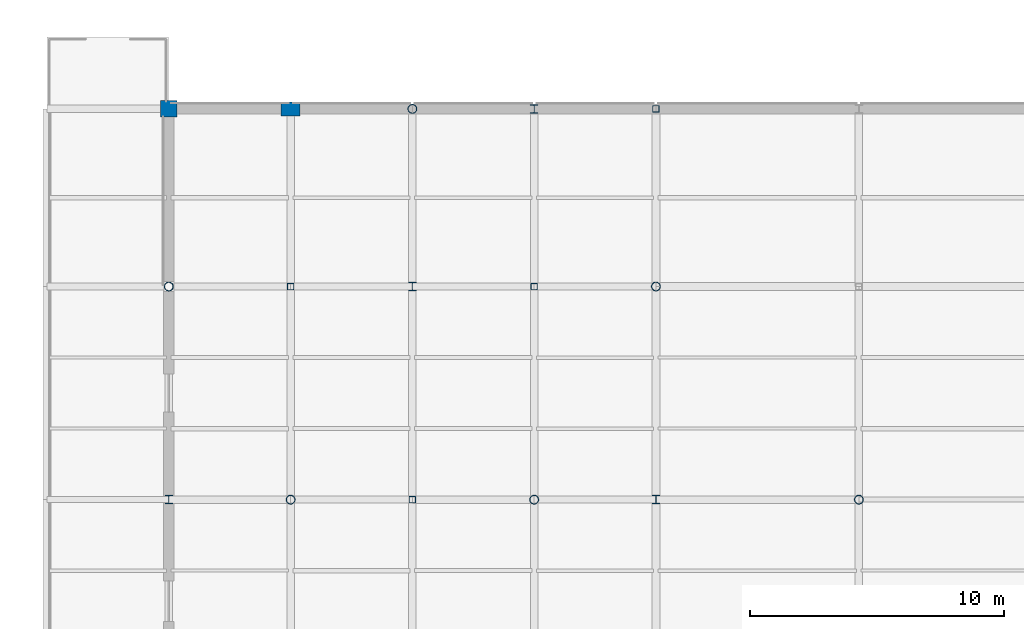
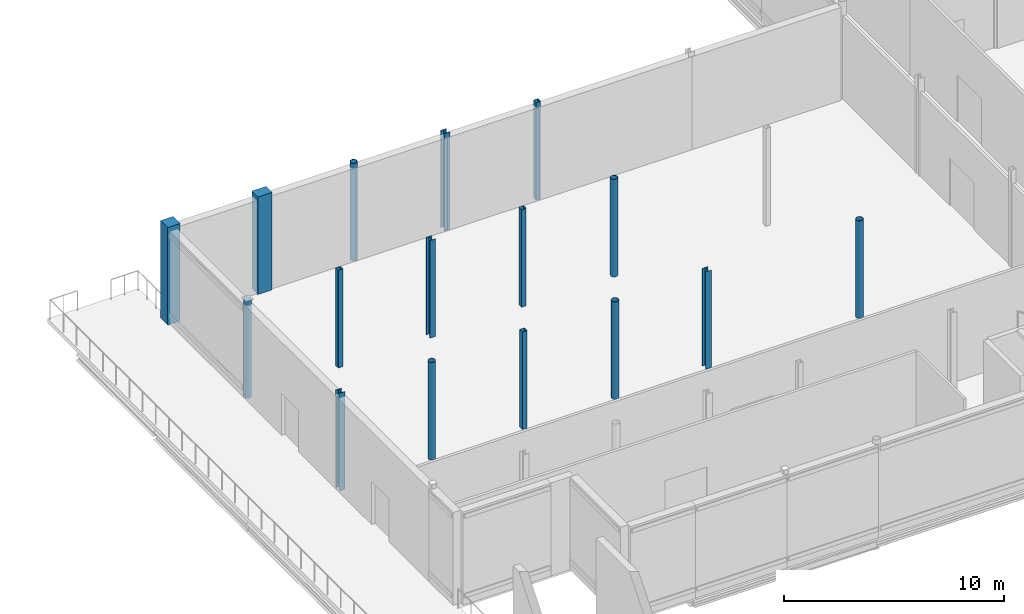
# One storey, part 8 of 147: 16 columns.
"""IFC4 building model written with IfcOpenShell, lengths in metres."""

from ifc_helpers import new_model, si_unit, direction, frame, origin, origin_2d, place, context, subcontext, project, spatial, rectangle, hollow_rectangle, hollow_circle, i_section, extrude, material, material_profile, profile_set, type_object, element, save


model = new_model("IFC4")

# Units and contexts
model_context = context("Model", 3, precision=1e-05, world=origin(), true_north=direction((0.0, 1.0)))
body_context = subcontext(model_context, "Body", "Model", "MODEL_VIEW")
ifc_project = project(units=[si_unit("LENGTHUNIT", "METRE"), si_unit("AREAUNIT", "SQUARE_METRE"), si_unit("VOLUMEUNIT", "CUBIC_METRE"), si_unit("PLANEANGLEUNIT", "RADIAN"), si_unit("MASSUNIT", "GRAM", prefix="KILO")], contexts=[model_context])

# Site, building, storey
site_placement = place(None, origin())
site = spatial("IfcSite", under=ifc_project, at=site_placement, CompositionType="ELEMENT")
building_placement = place(site_placement, origin())
building = spatial("IfcBuilding", under=site, at=building_placement, Name="Vekula Escarpment Museum", CompositionType="ELEMENT")
storey_placement = place(building_placement, frame((0.0, 0.0, 7.800048828125)))
storey = spatial("IfcBuildingStorey", under=building, at=storey_placement, Name="L02", CompositionType="ELEMENT", Elevation=7.800048828125)

# Columns
ifc_material_1 = material(Name="Steel S355", Category="steel")
ifc_material_profile_1 = material_profile(ifc_material_1, hollow_circle(Radius=0.177734375, WallThickness=0.01611328125, at=origin_2d()), Name="CHS 355.6x16")
ifc_profile_set_1 = profile_set([ifc_material_profile_1], Name="Steel S355")
column_type_1 = type_object("IfcColumnType", Name="COL-S-CHS355", PredefinedType="COLUMN", material=ifc_profile_set_1)
for number, where, z_axis, x_axis, name in (
    (1, (4.800048828125, 76.39990234375, 0.0), (0.0, 0.0, 1.0), (1.0, 0.0, 0.0), "Column L02 (4.8,76.4)"),
    (2, (9.60009765625, 68.0, 0.0), (0.0, 0.0, 1.0), (1.0, 0.0, 0.0), "Column L02 (9.6,68.0)"),
    (3, (14.39990234375, 83.39990234375, 0.0), (0.0, 0.0, 1.0), (1.0, 0.0, 0.0), "Column L02 (14.4,83.4)"),
    (4, (19.199951171875, 68.0, 0.0), (0.0, 0.0, 1.0), (1.0, 0.0, 0.0), "Column L02 (19.2,68.0)"),
    (5, (24.0, 76.39990234375, 0.0), (0.0, 0.0, 1.0), (1.0, 0.0, 0.0), "Column L02 (24.0,76.4)"),
    (6, (32.0, 68.0, 0.0), (0.0, 0.0, 1.0), (1.0, 0.0, 0.0), "Column L02 (32.0,68.0)"),
):
    element("IfcColumn", number, at=place(storey_placement, frame(where, z_axis=z_axis, x_axis=x_axis)), inside=storey, type_object=column_type_1, Name=name, PredefinedType="COLUMN", context=body_context, shape_type="SweptSolid", body=[
        extrude(hollow_circle(Radius=0.177734375, WallThickness=0.01611328125, at=origin_2d()), origin(), (0.0, 0.0, 1.0), 5.39990234375),
    ])
ifc_material_2 = material(Name="Steel S355", Category="steel")
ifc_material_profile_2 = material_profile(ifc_material_2, i_section(OverallWidth=0.300048828125, OverallDepth=0.330078125, WebThickness=0.009521484375, FlangeThickness=0.0166015625, FilletRadius=0.027099609375, at=origin_2d()), Name="HEA 340")
ifc_profile_set_2 = profile_set([ifc_material_profile_2], Name="Steel S355")
column_type_2 = type_object("IfcColumnType", Name="COL-S-HEA340", PredefinedType="COLUMN", material=ifc_profile_set_2)
for number, where, z_axis, x_axis, name in (
    (7, (4.800048828125, 68.0, 0.0), (0.0, 0.0, 1.0), (1.0, 0.0, 0.0), "Column L02 (4.8,68.0)"),
    (8, (14.39990234375, 76.39990234375, 0.0), (0.0, 0.0, 1.0), (1.0, 0.0, 0.0), "Column L02 (14.4,76.4)"),
    (9, (19.199951171875, 83.39990234375, 0.0), (0.0, 0.0, 1.0), (1.0, 0.0, 0.0), "Column L02 (19.2,83.4)"),
    (10, (24.0, 68.0, 0.0), (0.0, 0.0, 1.0), (1.0, 0.0, 0.0), "Column L02 (24.0,68.0)"),
):
    element("IfcColumn", number, at=place(storey_placement, frame(where, z_axis=z_axis, x_axis=x_axis)), inside=storey, type_object=column_type_2, Name=name, PredefinedType="COLUMN", context=body_context, shape_type="SweptSolid", body=[
        extrude(i_section(OverallWidth=0.300048828125, OverallDepth=0.330078125, WebThickness=0.009521484375, FlangeThickness=0.0166015625, FilletRadius=0.027099609375, at=origin_2d()), origin(), (0.0, 0.0, 1.0), 5.39990234375),
    ])
ifc_material_3 = material(Name="Steel S355", Category="steel")
ifc_material_profile_3 = material_profile(ifc_material_3, hollow_rectangle(XDim=0.260009765625, YDim=0.260009765625, WallThickness=0.012451171875, InnerFilletRadius=0.012451171875, OuterFilletRadius=0.02490234375, at=origin_2d()), Name="SHS 260x260x12.5")
ifc_profile_set_3 = profile_set([ifc_material_profile_3], Name="Steel S355")
column_type_3 = type_object("IfcColumnType", Name="COL-S-SHS260", PredefinedType="COLUMN", material=ifc_profile_set_3)
for number, where, z_axis, x_axis, name in (
    (11, (9.60009765625, 76.39990234375, 0.0), (0.0, 0.0, 1.0), (1.0, 0.0, 0.0), "Column L02 (9.6,76.4)"),
    (12, (14.39990234375, 68.0, 0.0), (0.0, 0.0, 1.0), (1.0, 0.0, 0.0), "Column L02 (14.4,68.0)"),
    (13, (19.199951171875, 76.39990234375, 0.0), (0.0, 0.0, 1.0), (1.0, 0.0, 0.0), "Column L02 (19.2,76.4)"),
    (14, (24.0, 83.39990234375, 0.0), (0.0, 0.0, 1.0), (1.0, 0.0, 0.0), "Column L02 (24.0,83.4)"),
):
    element("IfcColumn", number, at=place(storey_placement, frame(where, z_axis=z_axis, x_axis=x_axis)), inside=storey, type_object=column_type_3, Name=name, PredefinedType="COLUMN", context=body_context, shape_type="SweptSolid", body=[
        extrude(hollow_rectangle(XDim=0.260009765625, YDim=0.260009765625, WallThickness=0.012451171875, InnerFilletRadius=0.012451171875, OuterFilletRadius=0.02490234375, at=origin_2d()), origin(), (0.0, 0.0, 1.0), 5.39990234375),
    ])
ifc_material_4 = material(Name="Inkisi arkosic sandstone masonry", Category="masonry")
ifc_material_profile_4 = material_profile(ifc_material_4, rectangle(XDim=0.64990234375, YDim=0.64990234375, at=origin_2d()), Name="PIER 650x650")
ifc_profile_set_4 = profile_set([ifc_material_profile_4], Name="Inkisi arkosic sandstone masonry")
column_type_4 = type_object("IfcColumnType", Name="PIL-ALM-650", PredefinedType="PILASTER", material=ifc_profile_set_4)
column_1_placement = place(storey_placement, frame((4.800048828125, 83.39990234375, 0.0), z_axis=(0.0, 0.0, 1.0), x_axis=(1.0, 0.0, 0.0)))
element("IfcColumn", 15, at=column_1_placement, inside=storey, type_object=column_type_4, Name="Column L02 (4.8,83.4)", PredefinedType="PILASTER", context=body_context, shape_type="SweptSolid", body=[
    extrude(rectangle(XDim=0.64990234375, YDim=0.64990234375, at=origin_2d()), origin(), (0.0, 0.0, 1.0), 5.39990234375),
])
ifc_material_5 = material(Name="Inkisi arkosic sandstone masonry", Category="masonry")
ifc_material_profile_5 = material_profile(ifc_material_5, rectangle(XDim=0.75, YDim=0.550048828125, at=origin_2d()), Name="PIER 750x550")
ifc_profile_set_5 = profile_set([ifc_material_profile_5], Name="Inkisi arkosic sandstone masonry")
column_type_5 = type_object("IfcColumnType", Name="PIL-ALM-750", PredefinedType="PILASTER", material=ifc_profile_set_5)
column_2_placement = place(storey_placement, frame((9.60009765625, 83.39990234375, 0.0), z_axis=(0.0, 0.0, 1.0), x_axis=(1.0, 0.0, 0.0)))
element("IfcColumn", 16, at=column_2_placement, inside=storey, type_object=column_type_5, Name="Column L02 (9.6,83.4)", PredefinedType="PILASTER", context=body_context, shape_type="SweptSolid", body=[
    extrude(rectangle(XDim=0.75, YDim=0.550048828125, at=origin_2d()), origin(), (0.0, 0.0, 1.0), 5.39990234375),
])

save(model, "model.ifc")
